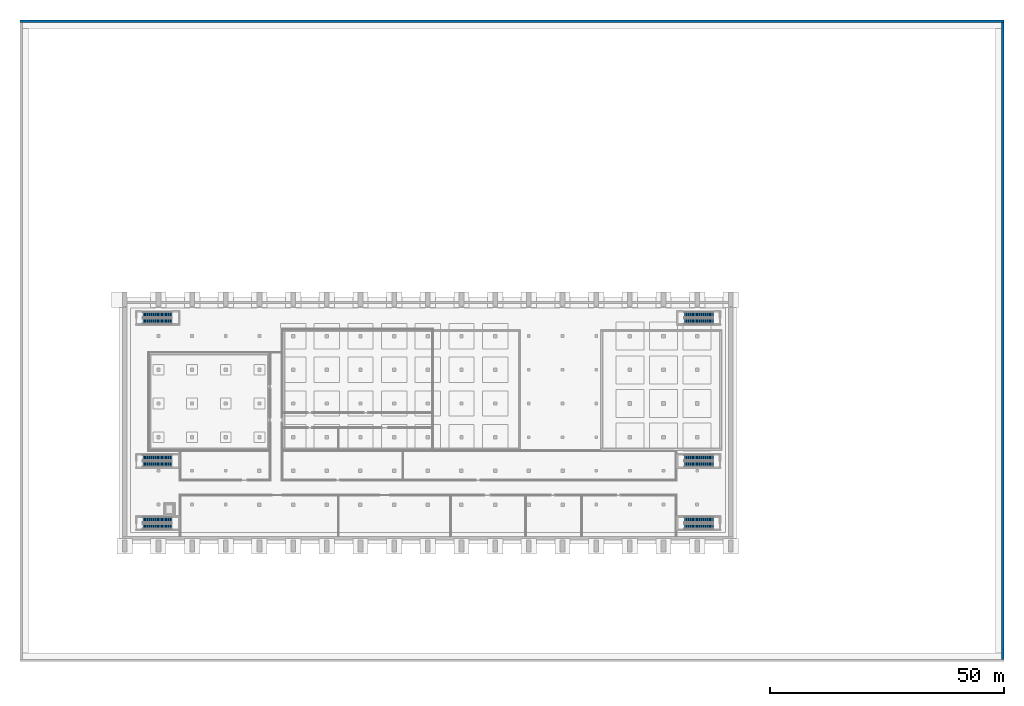
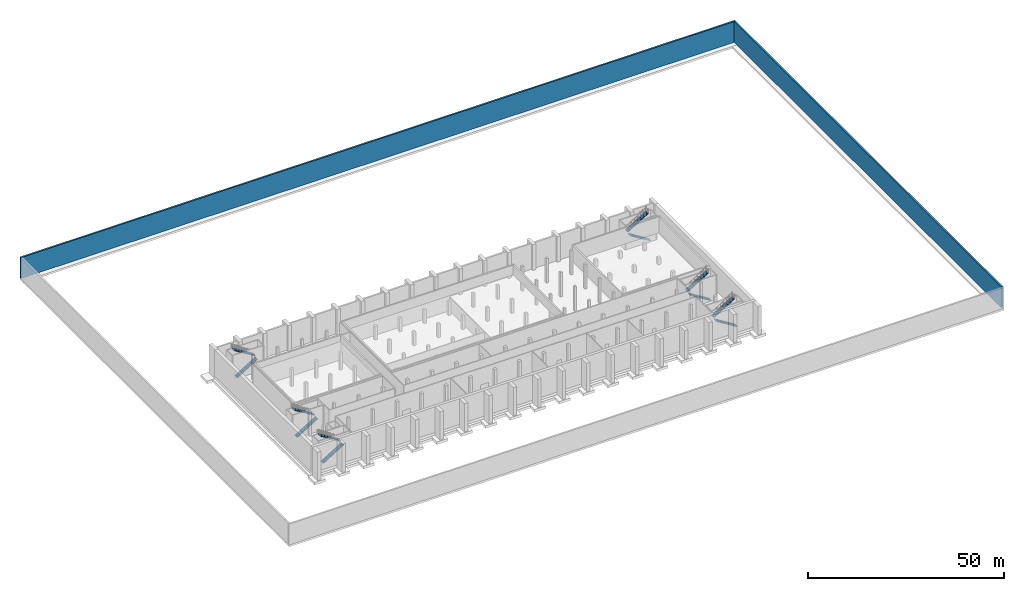
# One storey, part 12 of 14: 12 stair flights, 2 walls, 6 elements without a shape of their own.
"""IFC4 building model written with IfcOpenShell, lengths in metres."""

import ifcopenshell
import ifcopenshell.guid

model = None  # the IFC model being written
_history = None  # IfcOwnerHistory: only IFC2X3 demands one
_inside = {}  # id of a spatial element -> (the spatial element, [elements in it])
_under = {}  # id of a project, library or spatial element -> (it, [spatial elements below it])
_declared = {}  # id of a project -> (the project, [libraries it declares])
_typed = {}  # id of a type object -> (the type object, [elements of that type])
_made_of = {}  # id of a material, layer set ... -> (it, [elements and type objects made of it])


def new_model(schema):
    """Start an empty IFC model of exactly this schema.

    Asked for "IFC4X3", IfcOpenShell would pick the latest addendum, in which some entities
    have other attributes; the version numbers below select the first issue.
    IFC2X3 requires an IfcOwnerHistory on every rooted entity: one is made here for all.
    """
    global model, _history
    if schema == "IFC4X3":
        model = ifcopenshell.file(schema_version=(4, 3, 0, 0))
    else:
        model = ifcopenshell.file(schema=schema)
    _inside.clear()
    _under.clear()
    _declared.clear()
    _typed.clear()
    _made_of.clear()
    _history = None
    if model.schema == "IFC2X3":
        org = make("IfcOrganization", Name="unknown")
        user = make(
            "IfcPersonAndOrganization",
            ThePerson=make("IfcPerson", FamilyName="unknown"),
            TheOrganization=org,
        )
        app = make(
            "IfcApplication",
            ApplicationDeveloper=org,
            Version="unknown",
            ApplicationFullName="unknown",
            ApplicationIdentifier="unknown",
        )
        _history = make(
            "IfcOwnerHistory",
            OwningUser=user,
            OwningApplication=app,
            ChangeAction="ADDED",
            CreationDate=0,
        )
    return model


def make(cls, **values):
    """One entity of the class cls with the attributes given. An attribute that is None is left unset."""
    return model.create_entity(
        cls, **{name: value for name, value in values.items() if value is not None}
    )


def rooted(cls, **values):
    """An entity with a GlobalId (a new one), such as an element, a storey or a relation."""
    return make(cls, GlobalId=ifcopenshell.guid.new(), OwnerHistory=_history, **values)


def si_unit(unit_type, name, prefix=None):
    """IfcSIUnit, for example si_unit("LENGTHUNIT", "METRE", prefix="MILLI")."""
    return make("IfcSIUnit", UnitType=unit_type, Prefix=prefix, Name=name)


def assignment(units):
    """IfcUnitAssignment: the units of a project."""
    return None if units is None else make("IfcUnitAssignment", Units=units)


def point(xyz):
    """IfcCartesianPoint."""
    return None if xyz is None else make("IfcCartesianPoint", Coordinates=xyz)


def direction(xyz):
    """IfcDirection."""
    return None if xyz is None else make("IfcDirection", DirectionRatios=xyz)


def frame(location, z_axis=None, x_axis=None):
    """IfcAxis2Placement3D, a coordinate frame: its origin and axes. An axis left out is left unset."""
    return make(
        "IfcAxis2Placement3D",
        Location=point(location),
        Axis=direction(z_axis),
        RefDirection=direction(x_axis),
    )


def frame_2d(location, x_axis=None):
    """IfcAxis2Placement2D, a coordinate frame in the plane: its origin and x axis."""
    return make(
        "IfcAxis2Placement2D", Location=point(location), RefDirection=direction(x_axis)
    )


def origin():
    """The frame at (0, 0, 0) with its axes left unset."""
    return frame((0.0, 0.0, 0.0))


def place(relative_to, where):
    """IfcLocalPlacement: puts the frame where relative to a parent placement (None: the world)."""
    return make(
        "IfcLocalPlacement", PlacementRelTo=relative_to, RelativePlacement=where
    )


def context(
    kind, dimensions, precision=None, world=None, true_north=None, identifier=None
):
    """IfcGeometricRepresentationContext, for example the 3D "Model" context."""
    return make(
        "IfcGeometricRepresentationContext",
        ContextIdentifier=identifier,
        ContextType=kind,
        CoordinateSpaceDimension=dimensions,
        Precision=precision,
        WorldCoordinateSystem=world,
        TrueNorth=true_north,
    )


def subcontext(parent, identifier, kind, view, scale=None):
    """IfcGeometricRepresentationSubContext, for example "Body" below "Model"."""
    return make(
        "IfcGeometricRepresentationSubContext",
        ContextIdentifier=identifier,
        ContextType=kind,
        ParentContext=parent,
        TargetScale=scale,
        TargetView=view,
    )


def project(units=None, contexts=None):
    """IfcProject with its units and contexts."""
    return rooted(
        "IfcProject",
        Name="project",
        RepresentationContexts=contexts,
        UnitsInContext=assignment(units),
    )


def spatial(cls, under=None, at=None, **own):
    """A site, building, storey or space (cls), placed at a placement, below another one or the project."""
    s = rooted(cls, ObjectPlacement=at, **own)
    if under is not None:
        _under.setdefault(under.id(), (under, []))[1].append(s)
    return s


def polyline(points):
    """IfcPolyline through the points."""
    return make("IfcPolyline", Points=[point(p) for p in points])


def profile(cls, at=None, kind="AREA", **sizes):
    """A parametric profile (cls). Its sizes go by their IFC names, for example OverallWidth=200.0."""
    return make(cls, ProfileType=kind, Position=at, **sizes)


def rectangle(**sizes):
    """IfcRectangleProfileDef."""
    return profile("IfcRectangleProfileDef", **sizes)


def outline(outer, holes=None, kind="AREA"):
    """IfcArbitraryClosedProfileDef: a profile drawn as a closed curve; with holes, ...WithVoids."""
    if holes is None:
        return make("IfcArbitraryClosedProfileDef", ProfileType=kind, OuterCurve=outer)
    return make(
        "IfcArbitraryProfileDefWithVoids",
        ProfileType=kind,
        OuterCurve=outer,
        InnerCurves=holes,
    )


def extrude(swept, where, along, depth):
    """IfcExtrudedAreaSolid: the profile swept, set in the frame where, extruded along a direction by depth."""
    return make(
        "IfcExtrudedAreaSolid",
        SweptArea=swept,
        Position=where,
        ExtrudedDirection=direction(along),
        Depth=depth,
    )


def shape(context_of_items, identifier, shape_type, items):
    """IfcShapeRepresentation: the items that make up one representation, for example the "Body"."""
    return make(
        "IfcShapeRepresentation",
        ContextOfItems=context_of_items,
        RepresentationIdentifier=identifier,
        RepresentationType=shape_type,
        Items=items,
    )


def material(Name=None, Category=None):
    """IfcMaterial."""
    return make("IfcMaterial", Name=Name, Category=Category)


def layer(
    of_material, thickness, ventilated=None, Name=None, Category=None, Priority=None
):
    """IfcMaterialLayer: one layer of a wall or slab, of a material (None: an air gap)."""
    return make(
        "IfcMaterialLayer",
        Material=of_material,
        LayerThickness=thickness,
        IsVentilated=ventilated,
        Name=Name,
        Category=Category,
        Priority=Priority,
    )


def layer_set(layers, Name=None):
    """IfcMaterialLayerSet."""
    return make("IfcMaterialLayerSet", MaterialLayers=layers, LayerSetName=Name)


def made_of(thing, what):
    """Note that an element or type object is made of a material, layer set ...; save() writes the relation."""
    if what is not None:
        _made_of.setdefault(what.id(), (what, []))[1].append(thing)
    return thing


def type_object(cls, material=None, **own):
    """A type object (cls), such as IfcWallType, which elements share."""
    return made_of(rooted(cls, **own), material)


def element(
    cls,
    number,
    at=None,
    inside=None,
    cuts=None,
    type_object=None,
    material=None,
    context=None,
    identifier="Body",
    shape_type=None,
    held_by="IfcProductDefinitionShape",
    body=None,
    shapes=None,
    **own,
):
    """One element of the class cls, such as IfcWall. Its Tag is "e" and its number.

    at: its placement. inside: the storey or other place that contains it. cuts: it is an
    opening in that element (IfcRelVoidsElement). A single representation is given by context,
    identifier, shape_type and body (its items); several are given by shapes. held_by: the class
    of the entity that holds the representations. save() writes the other relations.
    """
    e = rooted(cls, Tag="e%d" % number, ObjectPlacement=at, **own)
    if body is not None:
        shapes = [shape(context, identifier, shape_type, body)]
    if shapes is not None:
        e.Representation = make(held_by, Representations=shapes)
    if inside is not None:
        _inside.setdefault(inside.id(), (inside, []))[1].append(e)
    if cuts is not None:
        rooted(
            "IfcRelVoidsElement", RelatingBuildingElement=cuts, RelatedOpeningElement=e
        )
    if type_object is not None:
        _typed.setdefault(type_object.id(), (type_object, []))[1].append(e)
    return made_of(e, material)


def aggregate(whole, parts):
    """IfcRelAggregates: a whole, such as a stair, and the parts it consists of."""
    return rooted("IfcRelAggregates", RelatingObject=whole, RelatedObjects=parts)


def save(model, path):
    """Write the relations noted so far, then the file.

    IfcRelAggregates (storeys below a building ...), IfcRelContainedInSpatialStructure (elements
    in a storey), IfcRelDefinesByType, IfcRelAssociatesMaterial and IfcRelDeclares: one each for
    every whole, place, type object, material and project.
    """
    for whole, parts in _under.values():
        aggregate(whole, parts)
    for where, things in _inside.values():
        rooted(
            "IfcRelContainedInSpatialStructure",
            RelatedElements=things,
            RelatingStructure=where,
        )
    for kind, things in _typed.values():
        rooted("IfcRelDefinesByType", RelatedObjects=things, RelatingType=kind)
    for what, things in _made_of.values():
        rooted("IfcRelAssociatesMaterial", RelatedObjects=things, RelatingMaterial=what)
    for by, libraries in _declared.values():
        rooted("IfcRelDeclares", RelatingContext=by, RelatedDefinitions=libraries)
    model.write(path)


model = new_model("IFC4")

# Units and contexts
model_context = context("Model", 3, precision=1e-05, world=origin(), true_north=direction((0.0, 1.0)))
body_context = subcontext(model_context, "Body", "Model", "MODEL_VIEW")
ifc_project = project(units=[si_unit("LENGTHUNIT", "METRE"), si_unit("AREAUNIT", "SQUARE_METRE"), si_unit("VOLUMEUNIT", "CUBIC_METRE"), si_unit("PLANEANGLEUNIT", "RADIAN"), si_unit("MASSUNIT", "GRAM", prefix="KILO")], contexts=[model_context])

# Site, building, storey
site_placement = place(None, origin())
site = spatial("IfcSite", under=ifc_project, at=site_placement, CompositionType="ELEMENT")
building_placement = place(site_placement, origin())
building = spatial("IfcBuilding", under=site, at=building_placement, Name="Vermilion Court Aquatics Centre", CompositionType="ELEMENT")
storey_placement = place(building_placement, frame((0.0, 0.0, -8.0)))
storey = spatial("IfcBuildingStorey", under=building, at=storey_placement, Name="B1", CompositionType="ELEMENT", Elevation=-8.0)

# Walls
ifc_material_1 = material(Name="Concrete 5000 psi", Category="concrete")
ifc_layer = layer(ifc_material_1, 0.5)
ifc_layer_set = layer_set([ifc_layer], Name="Perimeter retaining wall 500")
wall_type = type_object("IfcWallType", Name="Perimeter retaining wall 500", PredefinedType="SOLIDWALL", material=ifc_layer_set)
wall_1_placement = place(storey_placement, frame((-8.0, 124.949951171875, 1.050048828125), z_axis=(0.0, 0.0, 1.0), x_axis=(1.0, 0.0, 0.0)))
element("IfcWall", 1, at=wall_1_placement, inside=storey, type_object=wall_type, Name="Perimeter retaining wall", PredefinedType="SOLIDWALL", context=body_context, shape_type="SweptSolid", body=[
    extrude(rectangle(XDim=210.39990234375, YDim=0.5, at=frame_2d((105.199951171875, 0.0))), origin(), (0.0, 0.0, 1.0), 6.5),
])
wall_2_placement = place(storey_placement, frame((202.14990234375, -11.5, 1.050048828125), z_axis=(0.0, 0.0, 1.0), x_axis=(0.0, 1.0, 0.0)))
element("IfcWall", 2, at=wall_2_placement, inside=storey, type_object=wall_type, Name="Perimeter retaining wall", PredefinedType="SOLIDWALL", context=body_context, shape_type="SweptSolid", body=[
    extrude(rectangle(XDim=136.199951171875, YDim=0.5, at=frame_2d((68.10009765625, 0.0))), origin(), (0.0, 0.0, 1.0), 6.5),
])

# Stair, stair flights
ifc_material_2 = material(Name="Concrete 5000 psi", Category="concrete")
stair_type = type_object("IfcStairType", Name="Hall exit stair B1 to deck", PredefinedType="HALF_TURN_STAIR", material=ifc_material_2)
stair_1_placement = place(storey_placement, origin())
stair_1 = element("IfcStair", 3, at=stair_1_placement, inside=storey, type_object=stair_type, Name="Exit stair 1", PredefinedType="HALF_TURN_STAIR")
ifc_material_3 = material(Name="Concrete 5000 psi", Category="concrete")
stair_flight_type = type_object("IfcStairFlightType", Name="Hall exit stair flight 1200", PredefinedType="STRAIGHT", material=ifc_material_3)
stair_flight_1_placement = place(storey_placement, frame((18.300048828125, 16.89990234375, 0.0), z_axis=(0.0, 0.0, 1.0), x_axis=(1.0, 0.0, 0.0)))
stair_flight_1 = element("IfcStairFlight", 4, at=stair_flight_1_placement, type_object=stair_flight_type, Name="HT1 flight 1", NumberOfRisers=23, NumberOfTreads=22, PredefinedType="STRAIGHT", RiserHeight=0.173913043, TreadLength=0.28, context=body_context, shape_type="SweptSolid", body=[
    extrude(outline(polyline([(0.0, 0.0), (0.0, 0.173828125), (0.280029296875, 0.173828125), (0.280029296875, 0.347900390625), (0.56005859375, 0.347900390625), (0.56005859375, 0.521728515625), (0.840087890625, 0.521728515625), (0.840087890625, 0.695556640625), (1.1201171875, 0.695556640625), (1.1201171875, 0.86962890625), (1.39990234375, 0.86962890625), (1.39990234375, 1.04345703125), (1.679931640625, 1.04345703125), (1.679931640625, 1.21728515625), (1.9599609375, 1.21728515625), (1.9599609375, 1.391357421875), (2.239990234375, 1.391357421875), (2.239990234375, 1.565185546875), (2.52001953125, 1.565185546875), (2.52001953125, 1.739013671875), (2.800048828125, 1.739013671875), (2.800048828125, 1.9130859375), (3.080078125, 1.9130859375), (3.080078125, 2.0869140625), (3.360107421875, 2.0869140625), (3.360107421875, 2.260986328125), (3.639892578125, 2.260986328125), (3.639892578125, 2.434814453125), (3.919921875, 2.434814453125), (3.919921875, 2.608642578125), (4.199951171875, 2.608642578125), (4.199951171875, 2.78271484375), (4.47998046875, 2.78271484375), (4.47998046875, 2.95654296875), (4.760009765625, 2.95654296875), (4.760009765625, 3.13037109375), (5.0400390625, 3.13037109375), (5.0400390625, 3.304443359375), (5.320068359375, 3.304443359375), (5.320068359375, 3.478271484375), (5.60009765625, 3.478271484375), (5.60009765625, 3.652099609375), (5.8798828125, 3.652099609375), (5.8798828125, 3.826171875), (6.159912109375, 3.826171875), (6.159912109375, 4.0), (6.159912109375, 3.5908203125), (0.37890625, 0.0), (0.0, 0.0)])), frame((0.0, 0.60009765625, 0.0), z_axis=(0.0, -1.0, 0.0), x_axis=(1.0, 0.0, 0.0)), (0.0, 0.0, 1.0), 1.199951171875),
])
stair_flight_2_placement = place(storey_placement, frame((24.4599609375, 18.300048828125, 4.0), z_axis=(0.0, 0.0, 1.0), x_axis=(-1.0, 0.0, 0.0)))
stair_flight_2 = element("IfcStairFlight", 5, at=stair_flight_2_placement, type_object=stair_flight_type, Name="HT1 flight 2", NumberOfRisers=23, NumberOfTreads=22, PredefinedType="STRAIGHT", RiserHeight=0.173913043, TreadLength=0.28, context=body_context, shape_type="SweptSolid", body=[
    extrude(outline(polyline([(0.0, 0.0), (0.0, 0.173828125), (0.280029296875, 0.173828125), (0.280029296875, 0.347900390625), (0.56005859375, 0.347900390625), (0.56005859375, 0.521728515625), (0.840087890625, 0.521728515625), (0.840087890625, 0.695556640625), (1.1201171875, 0.695556640625), (1.1201171875, 0.86962890625), (1.39990234375, 0.86962890625), (1.39990234375, 1.04345703125), (1.679931640625, 1.04345703125), (1.679931640625, 1.21728515625), (1.9599609375, 1.21728515625), (1.9599609375, 1.391357421875), (2.239990234375, 1.391357421875), (2.239990234375, 1.565185546875), (2.52001953125, 1.565185546875), (2.52001953125, 1.739013671875), (2.800048828125, 1.739013671875), (2.800048828125, 1.9130859375), (3.080078125, 1.9130859375), (3.080078125, 2.0869140625), (3.360107421875, 2.0869140625), (3.360107421875, 2.260986328125), (3.639892578125, 2.260986328125), (3.639892578125, 2.434814453125), (3.919921875, 2.434814453125), (3.919921875, 2.608642578125), (4.199951171875, 2.608642578125), (4.199951171875, 2.78271484375), (4.47998046875, 2.78271484375), (4.47998046875, 2.95654296875), (4.760009765625, 2.95654296875), (4.760009765625, 3.13037109375), (5.0400390625, 3.13037109375), (5.0400390625, 3.304443359375), (5.320068359375, 3.304443359375), (5.320068359375, 3.478271484375), (5.60009765625, 3.478271484375), (5.60009765625, 3.652099609375), (5.8798828125, 3.652099609375), (5.8798828125, 3.826171875), (6.159912109375, 3.826171875), (6.159912109375, 4.0), (6.159912109375, 3.5908203125), (0.37890625, 0.0), (0.0, 0.0)])), frame((0.0, 0.60009765625, 0.0), z_axis=(0.0, -1.0, 0.0), x_axis=(1.0, 0.0, 0.0)), (0.0, 0.0, 1.0), 1.199951171875),
])
aggregate(stair_1, [stair_flight_1, stair_flight_2])

stair_2_placement = place(storey_placement, origin())
stair_2 = element("IfcStair", 6, at=stair_2_placement, inside=storey, type_object=stair_type, Name="Exit stair 2", PredefinedType="HALF_TURN_STAIR")
stair_flight_3_placement = place(storey_placement, frame((18.300048828125, 30.199951171875, 0.0), z_axis=(0.0, 0.0, 1.0), x_axis=(1.0, 0.0, 0.0)))
stair_flight_3 = element("IfcStairFlight", 7, at=stair_flight_3_placement, type_object=stair_flight_type, Name="HT1 flight 1", NumberOfRisers=23, NumberOfTreads=22, PredefinedType="STRAIGHT", RiserHeight=0.173913043, TreadLength=0.28, context=body_context, shape_type="SweptSolid", body=[
    extrude(outline(polyline([(0.0, 0.0), (0.0, 0.173828125), (0.280029296875, 0.173828125), (0.280029296875, 0.347900390625), (0.56005859375, 0.347900390625), (0.56005859375, 0.521728515625), (0.840087890625, 0.521728515625), (0.840087890625, 0.695556640625), (1.1201171875, 0.695556640625), (1.1201171875, 0.86962890625), (1.39990234375, 0.86962890625), (1.39990234375, 1.04345703125), (1.679931640625, 1.04345703125), (1.679931640625, 1.21728515625), (1.9599609375, 1.21728515625), (1.9599609375, 1.391357421875), (2.239990234375, 1.391357421875), (2.239990234375, 1.565185546875), (2.52001953125, 1.565185546875), (2.52001953125, 1.739013671875), (2.800048828125, 1.739013671875), (2.800048828125, 1.9130859375), (3.080078125, 1.9130859375), (3.080078125, 2.0869140625), (3.360107421875, 2.0869140625), (3.360107421875, 2.260986328125), (3.639892578125, 2.260986328125), (3.639892578125, 2.434814453125), (3.919921875, 2.434814453125), (3.919921875, 2.608642578125), (4.199951171875, 2.608642578125), (4.199951171875, 2.78271484375), (4.47998046875, 2.78271484375), (4.47998046875, 2.95654296875), (4.760009765625, 2.95654296875), (4.760009765625, 3.13037109375), (5.0400390625, 3.13037109375), (5.0400390625, 3.304443359375), (5.320068359375, 3.304443359375), (5.320068359375, 3.478271484375), (5.60009765625, 3.478271484375), (5.60009765625, 3.652099609375), (5.8798828125, 3.652099609375), (5.8798828125, 3.826171875), (6.159912109375, 3.826171875), (6.159912109375, 4.0), (6.159912109375, 3.5908203125), (0.37890625, 0.0), (0.0, 0.0)])), frame((0.0, 0.60009765625, 0.0), z_axis=(0.0, -1.0, 0.0), x_axis=(1.0, 0.0, 0.0)), (0.0, 0.0, 1.0), 1.199951171875),
])
stair_flight_4_placement = place(storey_placement, frame((24.4599609375, 31.60009765625, 4.0), z_axis=(0.0, 0.0, 1.0), x_axis=(-1.0, 0.0, 0.0)))
stair_flight_4 = element("IfcStairFlight", 8, at=stair_flight_4_placement, type_object=stair_flight_type, Name="HT1 flight 2", NumberOfRisers=23, NumberOfTreads=22, PredefinedType="STRAIGHT", RiserHeight=0.173913043, TreadLength=0.28, context=body_context, shape_type="SweptSolid", body=[
    extrude(outline(polyline([(0.0, 0.0), (0.0, 0.173828125), (0.280029296875, 0.173828125), (0.280029296875, 0.347900390625), (0.56005859375, 0.347900390625), (0.56005859375, 0.521728515625), (0.840087890625, 0.521728515625), (0.840087890625, 0.695556640625), (1.1201171875, 0.695556640625), (1.1201171875, 0.86962890625), (1.39990234375, 0.86962890625), (1.39990234375, 1.04345703125), (1.679931640625, 1.04345703125), (1.679931640625, 1.21728515625), (1.9599609375, 1.21728515625), (1.9599609375, 1.391357421875), (2.239990234375, 1.391357421875), (2.239990234375, 1.565185546875), (2.52001953125, 1.565185546875), (2.52001953125, 1.739013671875), (2.800048828125, 1.739013671875), (2.800048828125, 1.9130859375), (3.080078125, 1.9130859375), (3.080078125, 2.0869140625), (3.360107421875, 2.0869140625), (3.360107421875, 2.260986328125), (3.639892578125, 2.260986328125), (3.639892578125, 2.434814453125), (3.919921875, 2.434814453125), (3.919921875, 2.608642578125), (4.199951171875, 2.608642578125), (4.199951171875, 2.78271484375), (4.47998046875, 2.78271484375), (4.47998046875, 2.95654296875), (4.760009765625, 2.95654296875), (4.760009765625, 3.13037109375), (5.0400390625, 3.13037109375), (5.0400390625, 3.304443359375), (5.320068359375, 3.304443359375), (5.320068359375, 3.478271484375), (5.60009765625, 3.478271484375), (5.60009765625, 3.652099609375), (5.8798828125, 3.652099609375), (5.8798828125, 3.826171875), (6.159912109375, 3.826171875), (6.159912109375, 4.0), (6.159912109375, 3.5908203125), (0.37890625, 0.0), (0.0, 0.0)])), frame((0.0, 0.60009765625, 0.0), z_axis=(0.0, -1.0, 0.0), x_axis=(1.0, 0.0, 0.0)), (0.0, 0.0, 1.0), 1.199951171875),
])
aggregate(stair_2, [stair_flight_3, stair_flight_4])

stair_3_placement = place(storey_placement, origin())
stair_3 = element("IfcStair", 9, at=stair_3_placement, inside=storey, type_object=stair_type, Name="Exit stair 3", PredefinedType="HALF_TURN_STAIR")
stair_flight_5_placement = place(storey_placement, frame((18.300048828125, 60.800048828125, 0.0), z_axis=(0.0, 0.0, 1.0), x_axis=(1.0, 0.0, 0.0)))
stair_flight_5 = element("IfcStairFlight", 10, at=stair_flight_5_placement, type_object=stair_flight_type, Name="HT1 flight 1", NumberOfRisers=23, NumberOfTreads=22, PredefinedType="STRAIGHT", RiserHeight=0.173913043, TreadLength=0.28, context=body_context, shape_type="SweptSolid", body=[
    extrude(outline(polyline([(0.0, 0.0), (0.0, 0.173828125), (0.280029296875, 0.173828125), (0.280029296875, 0.347900390625), (0.56005859375, 0.347900390625), (0.56005859375, 0.521728515625), (0.840087890625, 0.521728515625), (0.840087890625, 0.695556640625), (1.1201171875, 0.695556640625), (1.1201171875, 0.86962890625), (1.39990234375, 0.86962890625), (1.39990234375, 1.04345703125), (1.679931640625, 1.04345703125), (1.679931640625, 1.21728515625), (1.9599609375, 1.21728515625), (1.9599609375, 1.391357421875), (2.239990234375, 1.391357421875), (2.239990234375, 1.565185546875), (2.52001953125, 1.565185546875), (2.52001953125, 1.739013671875), (2.800048828125, 1.739013671875), (2.800048828125, 1.9130859375), (3.080078125, 1.9130859375), (3.080078125, 2.0869140625), (3.360107421875, 2.0869140625), (3.360107421875, 2.260986328125), (3.639892578125, 2.260986328125), (3.639892578125, 2.434814453125), (3.919921875, 2.434814453125), (3.919921875, 2.608642578125), (4.199951171875, 2.608642578125), (4.199951171875, 2.78271484375), (4.47998046875, 2.78271484375), (4.47998046875, 2.95654296875), (4.760009765625, 2.95654296875), (4.760009765625, 3.13037109375), (5.0400390625, 3.13037109375), (5.0400390625, 3.304443359375), (5.320068359375, 3.304443359375), (5.320068359375, 3.478271484375), (5.60009765625, 3.478271484375), (5.60009765625, 3.652099609375), (5.8798828125, 3.652099609375), (5.8798828125, 3.826171875), (6.159912109375, 3.826171875), (6.159912109375, 4.0), (6.159912109375, 3.5908203125), (0.37890625, 0.0), (0.0, 0.0)])), frame((0.0, 0.60009765625, 0.0), z_axis=(0.0, -1.0, 0.0), x_axis=(1.0, 0.0, 0.0)), (0.0, 0.0, 1.0), 1.199951171875),
])
stair_flight_6_placement = place(storey_placement, frame((24.4599609375, 62.199951171875, 4.0), z_axis=(0.0, 0.0, 1.0), x_axis=(-1.0, 0.0, 0.0)))
stair_flight_6 = element("IfcStairFlight", 11, at=stair_flight_6_placement, type_object=stair_flight_type, Name="HT1 flight 2", NumberOfRisers=23, NumberOfTreads=22, PredefinedType="STRAIGHT", RiserHeight=0.173913043, TreadLength=0.28, context=body_context, shape_type="SweptSolid", body=[
    extrude(outline(polyline([(0.0, 0.0), (0.0, 0.173828125), (0.280029296875, 0.173828125), (0.280029296875, 0.347900390625), (0.56005859375, 0.347900390625), (0.56005859375, 0.521728515625), (0.840087890625, 0.521728515625), (0.840087890625, 0.695556640625), (1.1201171875, 0.695556640625), (1.1201171875, 0.86962890625), (1.39990234375, 0.86962890625), (1.39990234375, 1.04345703125), (1.679931640625, 1.04345703125), (1.679931640625, 1.21728515625), (1.9599609375, 1.21728515625), (1.9599609375, 1.391357421875), (2.239990234375, 1.391357421875), (2.239990234375, 1.565185546875), (2.52001953125, 1.565185546875), (2.52001953125, 1.739013671875), (2.800048828125, 1.739013671875), (2.800048828125, 1.9130859375), (3.080078125, 1.9130859375), (3.080078125, 2.0869140625), (3.360107421875, 2.0869140625), (3.360107421875, 2.260986328125), (3.639892578125, 2.260986328125), (3.639892578125, 2.434814453125), (3.919921875, 2.434814453125), (3.919921875, 2.608642578125), (4.199951171875, 2.608642578125), (4.199951171875, 2.78271484375), (4.47998046875, 2.78271484375), (4.47998046875, 2.95654296875), (4.760009765625, 2.95654296875), (4.760009765625, 3.13037109375), (5.0400390625, 3.13037109375), (5.0400390625, 3.304443359375), (5.320068359375, 3.304443359375), (5.320068359375, 3.478271484375), (5.60009765625, 3.478271484375), (5.60009765625, 3.652099609375), (5.8798828125, 3.652099609375), (5.8798828125, 3.826171875), (6.159912109375, 3.826171875), (6.159912109375, 4.0), (6.159912109375, 3.5908203125), (0.37890625, 0.0), (0.0, 0.0)])), frame((0.0, 0.60009765625, 0.0), z_axis=(0.0, -1.0, 0.0), x_axis=(1.0, 0.0, 0.0)), (0.0, 0.0, 1.0), 1.199951171875),
])
aggregate(stair_3, [stair_flight_5, stair_flight_6])

stair_4_placement = place(storey_placement, origin())
stair_4 = element("IfcStair", 12, at=stair_4_placement, inside=storey, type_object=stair_type, Name="Exit stair 4", PredefinedType="HALF_TURN_STAIR")
stair_flight_7_placement = place(storey_placement, frame((140.25, 16.89990234375, 0.0), z_axis=(0.0, 0.0, 1.0), x_axis=(-1.0, 0.0, 0.0)))
stair_flight_7 = element("IfcStairFlight", 13, at=stair_flight_7_placement, type_object=stair_flight_type, Name="HT1 flight 1", NumberOfRisers=23, NumberOfTreads=22, PredefinedType="STRAIGHT", RiserHeight=0.173913043, TreadLength=0.28, context=body_context, shape_type="SweptSolid", body=[
    extrude(outline(polyline([(0.0, 0.0), (0.0, 0.173828125), (0.280029296875, 0.173828125), (0.280029296875, 0.347900390625), (0.56005859375, 0.347900390625), (0.56005859375, 0.521728515625), (0.840087890625, 0.521728515625), (0.840087890625, 0.695556640625), (1.1201171875, 0.695556640625), (1.1201171875, 0.86962890625), (1.39990234375, 0.86962890625), (1.39990234375, 1.04345703125), (1.679931640625, 1.04345703125), (1.679931640625, 1.21728515625), (1.9599609375, 1.21728515625), (1.9599609375, 1.391357421875), (2.239990234375, 1.391357421875), (2.239990234375, 1.565185546875), (2.52001953125, 1.565185546875), (2.52001953125, 1.739013671875), (2.800048828125, 1.739013671875), (2.800048828125, 1.9130859375), (3.080078125, 1.9130859375), (3.080078125, 2.0869140625), (3.360107421875, 2.0869140625), (3.360107421875, 2.260986328125), (3.639892578125, 2.260986328125), (3.639892578125, 2.434814453125), (3.919921875, 2.434814453125), (3.919921875, 2.608642578125), (4.199951171875, 2.608642578125), (4.199951171875, 2.78271484375), (4.47998046875, 2.78271484375), (4.47998046875, 2.95654296875), (4.760009765625, 2.95654296875), (4.760009765625, 3.13037109375), (5.0400390625, 3.13037109375), (5.0400390625, 3.304443359375), (5.320068359375, 3.304443359375), (5.320068359375, 3.478271484375), (5.60009765625, 3.478271484375), (5.60009765625, 3.652099609375), (5.8798828125, 3.652099609375), (5.8798828125, 3.826171875), (6.159912109375, 3.826171875), (6.159912109375, 4.0), (6.159912109375, 3.5908203125), (0.37890625, 0.0), (0.0, 0.0)])), frame((0.0, 0.60009765625, 0.0), z_axis=(0.0, -1.0, 0.0), x_axis=(1.0, 0.0, 0.0)), (0.0, 0.0, 1.0), 1.199951171875),
])
stair_flight_8_placement = place(storey_placement, frame((134.090087890625, 18.300048828125, 4.0), z_axis=(0.0, 0.0, 1.0), x_axis=(1.0, 0.0, 0.0)))
stair_flight_8 = element("IfcStairFlight", 14, at=stair_flight_8_placement, type_object=stair_flight_type, Name="HT1 flight 2", NumberOfRisers=23, NumberOfTreads=22, PredefinedType="STRAIGHT", RiserHeight=0.173913043, TreadLength=0.28, context=body_context, shape_type="SweptSolid", body=[
    extrude(outline(polyline([(0.0, 0.0), (0.0, 0.173828125), (0.280029296875, 0.173828125), (0.280029296875, 0.347900390625), (0.56005859375, 0.347900390625), (0.56005859375, 0.521728515625), (0.840087890625, 0.521728515625), (0.840087890625, 0.695556640625), (1.1201171875, 0.695556640625), (1.1201171875, 0.86962890625), (1.39990234375, 0.86962890625), (1.39990234375, 1.04345703125), (1.679931640625, 1.04345703125), (1.679931640625, 1.21728515625), (1.9599609375, 1.21728515625), (1.9599609375, 1.391357421875), (2.239990234375, 1.391357421875), (2.239990234375, 1.565185546875), (2.52001953125, 1.565185546875), (2.52001953125, 1.739013671875), (2.800048828125, 1.739013671875), (2.800048828125, 1.9130859375), (3.080078125, 1.9130859375), (3.080078125, 2.0869140625), (3.360107421875, 2.0869140625), (3.360107421875, 2.260986328125), (3.639892578125, 2.260986328125), (3.639892578125, 2.434814453125), (3.919921875, 2.434814453125), (3.919921875, 2.608642578125), (4.199951171875, 2.608642578125), (4.199951171875, 2.78271484375), (4.47998046875, 2.78271484375), (4.47998046875, 2.95654296875), (4.760009765625, 2.95654296875), (4.760009765625, 3.13037109375), (5.0400390625, 3.13037109375), (5.0400390625, 3.304443359375), (5.320068359375, 3.304443359375), (5.320068359375, 3.478271484375), (5.60009765625, 3.478271484375), (5.60009765625, 3.652099609375), (5.8798828125, 3.652099609375), (5.8798828125, 3.826171875), (6.159912109375, 3.826171875), (6.159912109375, 4.0), (6.159912109375, 3.5908203125), (0.37890625, 0.0), (0.0, 0.0)])), frame((0.0, 0.60009765625, 0.0), z_axis=(0.0, -1.0, 0.0), x_axis=(1.0, 0.0, 0.0)), (0.0, 0.0, 1.0), 1.199951171875),
])
aggregate(stair_4, [stair_flight_7, stair_flight_8])

stair_5_placement = place(storey_placement, origin())
stair_5 = element("IfcStair", 15, at=stair_5_placement, inside=storey, type_object=stair_type, Name="Exit stair 5", PredefinedType="HALF_TURN_STAIR")
stair_flight_9_placement = place(storey_placement, frame((140.25, 30.199951171875, 0.0), z_axis=(0.0, 0.0, 1.0), x_axis=(-1.0, 0.0, 0.0)))
stair_flight_9 = element("IfcStairFlight", 16, at=stair_flight_9_placement, type_object=stair_flight_type, Name="HT1 flight 1", NumberOfRisers=23, NumberOfTreads=22, PredefinedType="STRAIGHT", RiserHeight=0.173913043, TreadLength=0.28, context=body_context, shape_type="SweptSolid", body=[
    extrude(outline(polyline([(0.0, 0.0), (0.0, 0.173828125), (0.280029296875, 0.173828125), (0.280029296875, 0.347900390625), (0.56005859375, 0.347900390625), (0.56005859375, 0.521728515625), (0.840087890625, 0.521728515625), (0.840087890625, 0.695556640625), (1.1201171875, 0.695556640625), (1.1201171875, 0.86962890625), (1.39990234375, 0.86962890625), (1.39990234375, 1.04345703125), (1.679931640625, 1.04345703125), (1.679931640625, 1.21728515625), (1.9599609375, 1.21728515625), (1.9599609375, 1.391357421875), (2.239990234375, 1.391357421875), (2.239990234375, 1.565185546875), (2.52001953125, 1.565185546875), (2.52001953125, 1.739013671875), (2.800048828125, 1.739013671875), (2.800048828125, 1.9130859375), (3.080078125, 1.9130859375), (3.080078125, 2.0869140625), (3.360107421875, 2.0869140625), (3.360107421875, 2.260986328125), (3.639892578125, 2.260986328125), (3.639892578125, 2.434814453125), (3.919921875, 2.434814453125), (3.919921875, 2.608642578125), (4.199951171875, 2.608642578125), (4.199951171875, 2.78271484375), (4.47998046875, 2.78271484375), (4.47998046875, 2.95654296875), (4.760009765625, 2.95654296875), (4.760009765625, 3.13037109375), (5.0400390625, 3.13037109375), (5.0400390625, 3.304443359375), (5.320068359375, 3.304443359375), (5.320068359375, 3.478271484375), (5.60009765625, 3.478271484375), (5.60009765625, 3.652099609375), (5.8798828125, 3.652099609375), (5.8798828125, 3.826171875), (6.159912109375, 3.826171875), (6.159912109375, 4.0), (6.159912109375, 3.5908203125), (0.37890625, 0.0), (0.0, 0.0)])), frame((0.0, 0.60009765625, 0.0), z_axis=(0.0, -1.0, 0.0), x_axis=(1.0, 0.0, 0.0)), (0.0, 0.0, 1.0), 1.199951171875),
])
stair_flight_10_placement = place(storey_placement, frame((134.090087890625, 31.60009765625, 4.0), z_axis=(0.0, 0.0, 1.0), x_axis=(1.0, 0.0, 0.0)))
stair_flight_10 = element("IfcStairFlight", 17, at=stair_flight_10_placement, type_object=stair_flight_type, Name="HT1 flight 2", NumberOfRisers=23, NumberOfTreads=22, PredefinedType="STRAIGHT", RiserHeight=0.173913043, TreadLength=0.28, context=body_context, shape_type="SweptSolid", body=[
    extrude(outline(polyline([(0.0, 0.0), (0.0, 0.173828125), (0.280029296875, 0.173828125), (0.280029296875, 0.347900390625), (0.56005859375, 0.347900390625), (0.56005859375, 0.521728515625), (0.840087890625, 0.521728515625), (0.840087890625, 0.695556640625), (1.1201171875, 0.695556640625), (1.1201171875, 0.86962890625), (1.39990234375, 0.86962890625), (1.39990234375, 1.04345703125), (1.679931640625, 1.04345703125), (1.679931640625, 1.21728515625), (1.9599609375, 1.21728515625), (1.9599609375, 1.391357421875), (2.239990234375, 1.391357421875), (2.239990234375, 1.565185546875), (2.52001953125, 1.565185546875), (2.52001953125, 1.739013671875), (2.800048828125, 1.739013671875), (2.800048828125, 1.9130859375), (3.080078125, 1.9130859375), (3.080078125, 2.0869140625), (3.360107421875, 2.0869140625), (3.360107421875, 2.260986328125), (3.639892578125, 2.260986328125), (3.639892578125, 2.434814453125), (3.919921875, 2.434814453125), (3.919921875, 2.608642578125), (4.199951171875, 2.608642578125), (4.199951171875, 2.78271484375), (4.47998046875, 2.78271484375), (4.47998046875, 2.95654296875), (4.760009765625, 2.95654296875), (4.760009765625, 3.13037109375), (5.0400390625, 3.13037109375), (5.0400390625, 3.304443359375), (5.320068359375, 3.304443359375), (5.320068359375, 3.478271484375), (5.60009765625, 3.478271484375), (5.60009765625, 3.652099609375), (5.8798828125, 3.652099609375), (5.8798828125, 3.826171875), (6.159912109375, 3.826171875), (6.159912109375, 4.0), (6.159912109375, 3.5908203125), (0.37890625, 0.0), (0.0, 0.0)])), frame((0.0, 0.60009765625, 0.0), z_axis=(0.0, -1.0, 0.0), x_axis=(1.0, 0.0, 0.0)), (0.0, 0.0, 1.0), 1.199951171875),
])
aggregate(stair_5, [stair_flight_9, stair_flight_10])

stair_6_placement = place(storey_placement, origin())
stair_6 = element("IfcStair", 18, at=stair_6_placement, inside=storey, type_object=stair_type, Name="Exit stair 6", PredefinedType="HALF_TURN_STAIR")
stair_flight_11_placement = place(storey_placement, frame((140.25, 60.800048828125, 0.0), z_axis=(0.0, 0.0, 1.0), x_axis=(-1.0, 0.0, 0.0)))
stair_flight_11 = element("IfcStairFlight", 19, at=stair_flight_11_placement, type_object=stair_flight_type, Name="HT1 flight 1", NumberOfRisers=23, NumberOfTreads=22, PredefinedType="STRAIGHT", RiserHeight=0.173913043, TreadLength=0.28, context=body_context, shape_type="SweptSolid", body=[
    extrude(outline(polyline([(0.0, 0.0), (0.0, 0.173828125), (0.280029296875, 0.173828125), (0.280029296875, 0.347900390625), (0.56005859375, 0.347900390625), (0.56005859375, 0.521728515625), (0.840087890625, 0.521728515625), (0.840087890625, 0.695556640625), (1.1201171875, 0.695556640625), (1.1201171875, 0.86962890625), (1.39990234375, 0.86962890625), (1.39990234375, 1.04345703125), (1.679931640625, 1.04345703125), (1.679931640625, 1.21728515625), (1.9599609375, 1.21728515625), (1.9599609375, 1.391357421875), (2.239990234375, 1.391357421875), (2.239990234375, 1.565185546875), (2.52001953125, 1.565185546875), (2.52001953125, 1.739013671875), (2.800048828125, 1.739013671875), (2.800048828125, 1.9130859375), (3.080078125, 1.9130859375), (3.080078125, 2.0869140625), (3.360107421875, 2.0869140625), (3.360107421875, 2.260986328125), (3.639892578125, 2.260986328125), (3.639892578125, 2.434814453125), (3.919921875, 2.434814453125), (3.919921875, 2.608642578125), (4.199951171875, 2.608642578125), (4.199951171875, 2.78271484375), (4.47998046875, 2.78271484375), (4.47998046875, 2.95654296875), (4.760009765625, 2.95654296875), (4.760009765625, 3.13037109375), (5.0400390625, 3.13037109375), (5.0400390625, 3.304443359375), (5.320068359375, 3.304443359375), (5.320068359375, 3.478271484375), (5.60009765625, 3.478271484375), (5.60009765625, 3.652099609375), (5.8798828125, 3.652099609375), (5.8798828125, 3.826171875), (6.159912109375, 3.826171875), (6.159912109375, 4.0), (6.159912109375, 3.5908203125), (0.37890625, 0.0), (0.0, 0.0)])), frame((0.0, 0.60009765625, 0.0), z_axis=(0.0, -1.0, 0.0), x_axis=(1.0, 0.0, 0.0)), (0.0, 0.0, 1.0), 1.199951171875),
])
stair_flight_12_placement = place(storey_placement, frame((134.090087890625, 62.199951171875, 4.0), z_axis=(0.0, 0.0, 1.0), x_axis=(1.0, 0.0, 0.0)))
stair_flight_12 = element("IfcStairFlight", 20, at=stair_flight_12_placement, type_object=stair_flight_type, Name="HT1 flight 2", NumberOfRisers=23, NumberOfTreads=22, PredefinedType="STRAIGHT", RiserHeight=0.173913043, TreadLength=0.28, context=body_context, shape_type="SweptSolid", body=[
    extrude(outline(polyline([(0.0, 0.0), (0.0, 0.173828125), (0.280029296875, 0.173828125), (0.280029296875, 0.347900390625), (0.56005859375, 0.347900390625), (0.56005859375, 0.521728515625), (0.840087890625, 0.521728515625), (0.840087890625, 0.695556640625), (1.1201171875, 0.695556640625), (1.1201171875, 0.86962890625), (1.39990234375, 0.86962890625), (1.39990234375, 1.04345703125), (1.679931640625, 1.04345703125), (1.679931640625, 1.21728515625), (1.9599609375, 1.21728515625), (1.9599609375, 1.391357421875), (2.239990234375, 1.391357421875), (2.239990234375, 1.565185546875), (2.52001953125, 1.565185546875), (2.52001953125, 1.739013671875), (2.800048828125, 1.739013671875), (2.800048828125, 1.9130859375), (3.080078125, 1.9130859375), (3.080078125, 2.0869140625), (3.360107421875, 2.0869140625), (3.360107421875, 2.260986328125), (3.639892578125, 2.260986328125), (3.639892578125, 2.434814453125), (3.919921875, 2.434814453125), (3.919921875, 2.608642578125), (4.199951171875, 2.608642578125), (4.199951171875, 2.78271484375), (4.47998046875, 2.78271484375), (4.47998046875, 2.95654296875), (4.760009765625, 2.95654296875), (4.760009765625, 3.13037109375), (5.0400390625, 3.13037109375), (5.0400390625, 3.304443359375), (5.320068359375, 3.304443359375), (5.320068359375, 3.478271484375), (5.60009765625, 3.478271484375), (5.60009765625, 3.652099609375), (5.8798828125, 3.652099609375), (5.8798828125, 3.826171875), (6.159912109375, 3.826171875), (6.159912109375, 4.0), (6.159912109375, 3.5908203125), (0.37890625, 0.0), (0.0, 0.0)])), frame((0.0, 0.60009765625, 0.0), z_axis=(0.0, -1.0, 0.0), x_axis=(1.0, 0.0, 0.0)), (0.0, 0.0, 1.0), 1.199951171875),
])
aggregate(stair_6, [stair_flight_11, stair_flight_12])

save(model, "model.ifc")
